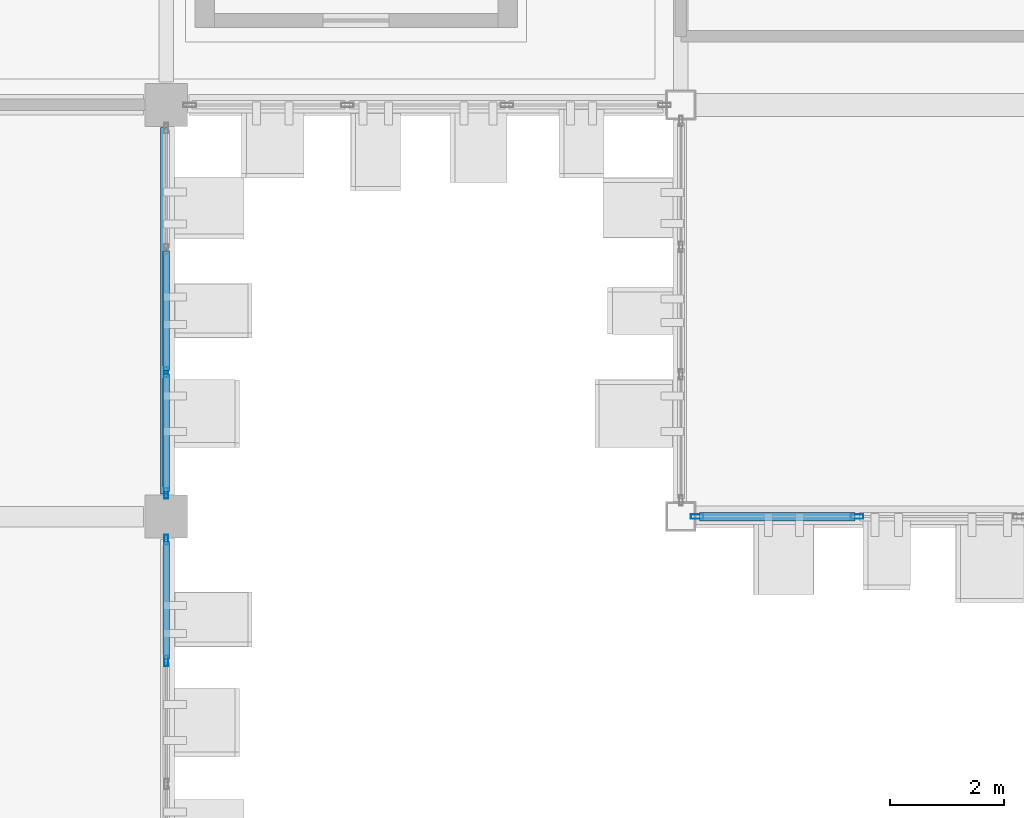
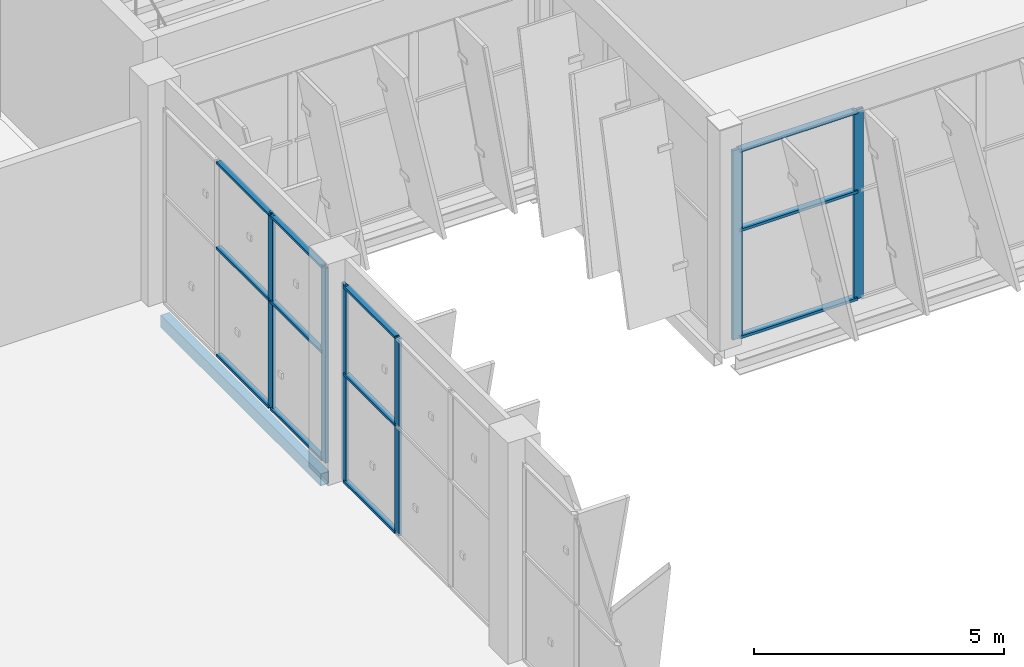
# One storey, part 76 of 189: 18 members, 1 beam, 3 elements without a shape of their own.
"""IFC4 building model written with IfcOpenShell, lengths in metres."""

from ifc_helpers import new_model, si_unit, direction, frame, origin, origin_2d, place, context, subcontext, project, spatial, hollow_rectangle, extrude, material, layer, layer_set, material_profile, profile_set, type_object, element, aggregate, save


model = new_model("IFC4")

# Units and contexts
model_context = context("Model", 3, precision=1e-05, world=origin(), true_north=direction((0.0, 1.0)))
body_context = subcontext(model_context, "Body", "Model", "MODEL_VIEW")
ifc_project = project(units=[si_unit("LENGTHUNIT", "METRE"), si_unit("AREAUNIT", "SQUARE_METRE"), si_unit("VOLUMEUNIT", "CUBIC_METRE"), si_unit("PLANEANGLEUNIT", "RADIAN"), si_unit("MASSUNIT", "GRAM", prefix="KILO")], contexts=[model_context])

# Site, building, storey
site_placement = place(None, origin())
site = spatial("IfcSite", under=ifc_project, at=site_placement, CompositionType="ELEMENT")
building_placement = place(site_placement, origin())
building = spatial("IfcBuilding", under=site, at=building_placement, Name="Celestram Park Convention Centre", CompositionType="ELEMENT")
storey_placement = place(building_placement, frame((0.0, 0.0, 5.39990234375)))
storey = spatial("IfcBuildingStorey", under=building, at=storey_placement, Name="L01", CompositionType="ELEMENT", Elevation=5.39990234375)

# Curtain wall, members
ifc_material_1 = material(Name="Anodised Aluminium Alloy 6063-T6", Category="aluminium")
ifc_layer_1 = layer(ifc_material_1, 0.179931640625)
ifc_layer_set_1 = layer_set([ifc_layer_1], Name="Anodised Aluminium Alloy 6063-T6")
curtain_wall_type_1 = type_object("IfcCurtainWallType", Name="ARC-CW-645X476", PredefinedType="NOTDEFINED", material=ifc_layer_set_1)
curtain_wall_1_placement = place(storey_placement, origin())
curtain_wall_1 = element("IfcCurtainWall", 1, at=curtain_wall_1_placement, inside=storey, type_object=curtain_wall_type_1, Name="Unitised curtain wall CU-L01-086", PredefinedType="NOTDEFINED")
ifc_material_profile_1 = material_profile(ifc_material_1, hollow_rectangle(XDim=0.06494140625, YDim=0.179931640625, WallThickness=0.00390625, at=origin_2d()), Name="ALU65X180X4")
ifc_profile_set_1 = profile_set([ifc_material_profile_1], Name="Anodised Aluminium Alloy 6063-T6")
member_type_1 = type_object("IfcMemberType", Name="ARC-CWM-150", PredefinedType="MULLION", material=ifc_profile_set_1)
member_1_placement = place(storey_placement, frame((144.0, 117.724365234375, 0.0), z_axis=(0.0, 0.0, 1.0), x_axis=(1.0, 0.0, 0.0)))
member_1 = element("IfcMember", 2, at=member_1_placement, type_object=member_type_1, Name="CW-64X47 mullion 3", PredefinedType="MULLION", context=body_context, shape_type="SweptSolid", body=[
    extrude(hollow_rectangle(XDim=0.06494140625, YDim=0.179931640625, WallThickness=0.00390625, at=origin_2d()), origin(), (0.0, 0.0, 1.0), 4.76416015625),
])
member_2_placement = place(storey_placement, frame((144.0, 115.60546875, 0.0), z_axis=(0.0, 0.0, 1.0), x_axis=(1.0, 0.0, 0.0)))
member_2 = element("IfcMember", 3, at=member_2_placement, type_object=member_type_1, Name="CW-64X47 mullion 4", PredefinedType="MULLION", context=body_context, shape_type="SweptSolid", body=[
    extrude(hollow_rectangle(XDim=0.06494140625, YDim=0.179931640625, WallThickness=0.00390625, at=origin_2d()), origin(), (0.0, 0.0, 1.0), 4.76416015625),
])

ifc_layer_2 = layer(ifc_material_1, 0.179931640625)
ifc_layer_set_2 = layer_set([ifc_layer_2], Name="Anodised Aluminium Alloy 6063-T6")
curtain_wall_type_2 = type_object("IfcCurtainWallType", Name="ARC-CW-645X482", PredefinedType="NOTDEFINED", material=ifc_layer_set_2)
curtain_wall_2_placement = place(storey_placement, origin())
curtain_wall_2 = element("IfcCurtainWall", 4, at=curtain_wall_2_placement, inside=storey, type_object=curtain_wall_type_2, Name="Unitised curtain wall CU-L01-087", PredefinedType="NOTDEFINED")
member_3_placement = place(storey_placement, frame((144.0, 114.79443359375, 0.0), z_axis=(0.0, 0.0, 1.0), x_axis=(1.0, 0.0, 0.0)))
member_3 = element("IfcMember", 5, at=member_3_placement, type_object=member_type_1, Name="CW-64X48 mullion 1", PredefinedType="MULLION", context=body_context, shape_type="SweptSolid", body=[
    extrude(hollow_rectangle(XDim=0.06494140625, YDim=0.179931640625, WallThickness=0.00390625, at=origin_2d()), origin(), (0.0, 0.0, 1.0), 4.820068359375),
])
member_4_placement = place(storey_placement, frame((144.0, 112.67578125, 0.0), z_axis=(0.0, 0.0, 1.0), x_axis=(1.0, 0.0, 0.0)))
member_4 = element("IfcMember", 6, at=member_4_placement, type_object=member_type_1, Name="CW-64X48 mullion 2", PredefinedType="MULLION", context=body_context, shape_type="SweptSolid", body=[
    extrude(hollow_rectangle(XDim=0.06494140625, YDim=0.179931640625, WallThickness=0.00390625, at=origin_2d()), origin(), (0.0, 0.0, 1.0), 4.820068359375),
])

ifc_layer_3 = layer(ifc_material_1, 0.179931640625)
ifc_layer_set_3 = layer_set([ifc_layer_3], Name="Anodised Aluminium Alloy 6063-T6")
curtain_wall_type_3 = type_object("IfcCurtainWallType", Name="ARC-CW-850X462", PredefinedType="NOTDEFINED", material=ifc_layer_set_3)
curtain_wall_3_placement = place(storey_placement, origin())
curtain_wall_3 = element("IfcCurtainWall", 7, at=curtain_wall_3_placement, inside=storey, type_object=curtain_wall_type_3, Name="Unitised curtain wall CU-L01-083", PredefinedType="NOTDEFINED")
ifc_material_profile_2 = material_profile(ifc_material_1, hollow_rectangle(XDim=0.074951171875, YDim=0.219970703125, WallThickness=0.00390625, at=origin_2d()), Name="ALU75X220X4")
ifc_profile_set_2 = profile_set([ifc_material_profile_2], Name="Anodised Aluminium Alloy 6063-T6")
member_type_2 = type_object("IfcMemberType", Name="ARC-CWM-180", PredefinedType="MULLION", material=ifc_profile_set_2)
member_5_placement = place(storey_placement, frame((156.082763671875, 115.199951171875, 0.0), z_axis=(0.0, 0.0, 1.0), x_axis=(0.0, -1.0, 0.0)))
member_5 = element("IfcMember", 8, at=member_5_placement, type_object=member_type_2, Name="CW-85X46 mullion 3", PredefinedType="MULLION", context=body_context, shape_type="SweptSolid", body=[
    extrude(hollow_rectangle(XDim=0.074951171875, YDim=0.219970703125, WallThickness=0.00390625, at=origin_2d()), origin(), (0.0, 0.0, 1.0), 4.6240234375),
])
member_6_placement = place(storey_placement, frame((153.285400390625, 115.199951171875, 0.0), z_axis=(0.0, 0.0, 1.0), x_axis=(0.0, -1.0, 0.0)))
member_6 = element("IfcMember", 9, at=member_6_placement, type_object=member_type_2, Name="CW-85X46 mullion 4", PredefinedType="MULLION", context=body_context, shape_type="SweptSolid", body=[
    extrude(hollow_rectangle(XDim=0.074951171875, YDim=0.219970703125, WallThickness=0.00390625, at=origin_2d()), origin(), (0.0, 0.0, 1.0), 4.6240234375),
])

# Member
ifc_material_profile_3 = material_profile(ifc_material_1, hollow_rectangle(XDim=0.1201171875, YDim=0.06005859375, WallThickness=0.0029296875, at=origin_2d()), Name="ALU120X60X3")
ifc_profile_set_3 = profile_set([ifc_material_profile_3], Name="Anodised Aluminium Alloy 6063-T6")
member_type_3 = type_object("IfcMemberType", Name="ARC-CWT-120", PredefinedType="USERDEFINED", material=ifc_profile_set_3)
member_7_placement = place(storey_placement, frame((144.0, 119.84326171875, 0.030029296875), z_axis=(0.0, -1.0, 0.0), x_axis=(1.0, 0.0, 0.0)))
member_7 = element("IfcMember", 10, at=member_7_placement, type_object=member_type_3, Name="CW-64X47 transom 2.1", ObjectType="TRANSOM", PredefinedType="USERDEFINED", context=body_context, shape_type="SweptSolid", body=[
    extrude(hollow_rectangle(XDim=0.1201171875, YDim=0.06005859375, WallThickness=0.0029296875, at=origin_2d()), origin(), (0.0, 0.0, 1.0), 2.08642578125),
])

member_8_placement = place(storey_placement, frame((144.0, 119.84326171875, 2.650146484375), z_axis=(0.0, -1.0, 0.0), x_axis=(1.0, 0.0, 0.0)))
member_8 = element("IfcMember", 11, at=member_8_placement, type_object=member_type_3, Name="CW-64X47 transom 2.2", ObjectType="TRANSOM", PredefinedType="USERDEFINED", context=body_context, shape_type="SweptSolid", body=[
    extrude(hollow_rectangle(XDim=0.1201171875, YDim=0.06005859375, WallThickness=0.0029296875, at=origin_2d()), origin(), (0.0, 0.0, 1.0), 2.08642578125),
])

member_9_placement = place(storey_placement, frame((144.0, 119.84326171875, 4.734130859375), z_axis=(0.0, -1.0, 0.0), x_axis=(1.0, 0.0, 0.0)))
member_9 = element("IfcMember", 12, at=member_9_placement, type_object=member_type_3, Name="CW-64X47 transom 2.3", ObjectType="TRANSOM", PredefinedType="USERDEFINED", context=body_context, shape_type="SweptSolid", body=[
    extrude(hollow_rectangle(XDim=0.1201171875, YDim=0.06005859375, WallThickness=0.0029296875, at=origin_2d()), origin(), (0.0, 0.0, 1.0), 2.08642578125),
])

member_10_placement = place(storey_placement, frame((144.0, 117.69189453125, 0.030029296875), z_axis=(0.0, -1.0, 0.0), x_axis=(1.0, 0.0, 0.0)))
member_10 = element("IfcMember", 13, at=member_10_placement, type_object=member_type_3, Name="CW-64X47 transom 3.1", ObjectType="TRANSOM", PredefinedType="USERDEFINED", context=body_context, shape_type="SweptSolid", body=[
    extrude(hollow_rectangle(XDim=0.1201171875, YDim=0.06005859375, WallThickness=0.0029296875, at=origin_2d()), origin(), (0.0, 0.0, 1.0), 2.053955078125),
])

member_11_placement = place(storey_placement, frame((144.0, 117.69189453125, 2.650146484375), z_axis=(0.0, -1.0, 0.0), x_axis=(1.0, 0.0, 0.0)))
member_11 = element("IfcMember", 14, at=member_11_placement, type_object=member_type_3, Name="CW-64X47 transom 3.2", ObjectType="TRANSOM", PredefinedType="USERDEFINED", context=body_context, shape_type="SweptSolid", body=[
    extrude(hollow_rectangle(XDim=0.1201171875, YDim=0.06005859375, WallThickness=0.0029296875, at=origin_2d()), origin(), (0.0, 0.0, 1.0), 2.053955078125),
])

member_12_placement = place(storey_placement, frame((144.0, 117.69189453125, 4.734130859375), z_axis=(0.0, -1.0, 0.0), x_axis=(1.0, 0.0, 0.0)))
member_12 = element("IfcMember", 15, at=member_12_placement, type_object=member_type_3, Name="CW-64X47 transom 3.3", ObjectType="TRANSOM", PredefinedType="USERDEFINED", context=body_context, shape_type="SweptSolid", body=[
    extrude(hollow_rectangle(XDim=0.1201171875, YDim=0.06005859375, WallThickness=0.0029296875, at=origin_2d()), origin(), (0.0, 0.0, 1.0), 2.053955078125),
])

aggregate(curtain_wall_1, [member_1, member_2, member_7, member_8, member_9, member_10, member_11, member_12])

member_13_placement = place(storey_placement, frame((144.0, 114.761962890625, 0.030029296875), z_axis=(0.0, -1.0, 0.0), x_axis=(1.0, 0.0, 0.0)))
member_13 = element("IfcMember", 16, at=member_13_placement, type_object=member_type_3, Name="CW-64X48 transom 1.1", ObjectType="TRANSOM", PredefinedType="USERDEFINED", context=body_context, shape_type="SweptSolid", body=[
    extrude(hollow_rectangle(XDim=0.1201171875, YDim=0.06005859375, WallThickness=0.0029296875, at=origin_2d()), origin(), (0.0, 0.0, 1.0), 2.0537109375),
])

member_14_placement = place(storey_placement, frame((144.0, 114.761962890625, 2.650146484375), z_axis=(0.0, -1.0, 0.0), x_axis=(1.0, 0.0, 0.0)))
member_14 = element("IfcMember", 17, at=member_14_placement, type_object=member_type_3, Name="CW-64X48 transom 1.2", ObjectType="TRANSOM", PredefinedType="USERDEFINED", context=body_context, shape_type="SweptSolid", body=[
    extrude(hollow_rectangle(XDim=0.1201171875, YDim=0.06005859375, WallThickness=0.0029296875, at=origin_2d()), origin(), (0.0, 0.0, 1.0), 2.0537109375),
])

member_15_placement = place(storey_placement, frame((144.0, 114.761962890625, 4.7900390625), z_axis=(0.0, -1.0, 0.0), x_axis=(1.0, 0.0, 0.0)))
member_15 = element("IfcMember", 18, at=member_15_placement, type_object=member_type_3, Name="CW-64X48 transom 1.3", ObjectType="TRANSOM", PredefinedType="USERDEFINED", context=body_context, shape_type="SweptSolid", body=[
    extrude(hollow_rectangle(XDim=0.1201171875, YDim=0.06005859375, WallThickness=0.0029296875, at=origin_2d()), origin(), (0.0, 0.0, 1.0), 2.0537109375),
])

aggregate(curtain_wall_2, [member_3, member_4, member_13, member_14, member_15])

ifc_material_profile_4 = material_profile(ifc_material_1, hollow_rectangle(XDim=0.14990234375, YDim=0.06494140625, WallThickness=0.0029296875, at=origin_2d()), Name="ALU150X65X3")
ifc_profile_set_4 = profile_set([ifc_material_profile_4], Name="Anodised Aluminium Alloy 6063-T6")
member_type_4 = type_object("IfcMemberType", Name="ARC-CWT-150", PredefinedType="USERDEFINED", material=ifc_profile_set_4)
member_16_placement = place(storey_placement, frame((156.045166015625, 115.199951171875, 0.03271484375), z_axis=(-1.0, 0.0, 0.0), x_axis=(0.0, -1.0, 0.0)))
member_16 = element("IfcMember", 19, at=member_16_placement, type_object=member_type_4, Name="CW-85X46 transom 3.1", ObjectType="TRANSOM", PredefinedType="USERDEFINED", context=body_context, shape_type="SweptSolid", body=[
    extrude(hollow_rectangle(XDim=0.14990234375, YDim=0.06494140625, WallThickness=0.0029296875, at=origin_2d()), origin(), (0.0, 0.0, 1.0), 2.72216796875),
])

member_17_placement = place(storey_placement, frame((156.045166015625, 115.199951171875, 2.650146484375), z_axis=(-1.0, 0.0, 0.0), x_axis=(0.0, -1.0, 0.0)))
member_17 = element("IfcMember", 20, at=member_17_placement, type_object=member_type_4, Name="CW-85X46 transom 3.2", ObjectType="TRANSOM", PredefinedType="USERDEFINED", context=body_context, shape_type="SweptSolid", body=[
    extrude(hollow_rectangle(XDim=0.14990234375, YDim=0.06494140625, WallThickness=0.0029296875, at=origin_2d()), origin(), (0.0, 0.0, 1.0), 2.72216796875),
])

member_18_placement = place(storey_placement, frame((156.045166015625, 115.199951171875, 4.591552734375), z_axis=(-1.0, 0.0, 0.0), x_axis=(0.0, -1.0, 0.0)))
member_18 = element("IfcMember", 21, at=member_18_placement, type_object=member_type_4, Name="CW-85X46 transom 3.3", ObjectType="TRANSOM", PredefinedType="USERDEFINED", context=body_context, shape_type="SweptSolid", body=[
    extrude(hollow_rectangle(XDim=0.14990234375, YDim=0.06494140625, WallThickness=0.0029296875, at=origin_2d()), origin(), (0.0, 0.0, 1.0), 2.72216796875),
])

aggregate(curtain_wall_3, [member_5, member_6, member_16, member_17, member_18])

# Beam
ifc_material_2 = material(Name="Steel ASTM A500 Grade C", Category="steel")
ifc_material_profile_5 = material_profile(ifc_material_2, hollow_rectangle(XDim=0.199951171875, YDim=0.300048828125, WallThickness=0.011962890625, at=origin_2d()), Name="HSS300X200X12")
ifc_profile_set_5 = profile_set([ifc_material_profile_5], Name="Steel ASTM A500 Grade C")
beam_type = type_object("IfcBeamType", Name="STR-SPN-HSS300X200", PredefinedType="SPANDREL", material=ifc_profile_set_5)
beam_placement = place(storey_placement, frame((144.0, 115.597900390625, -0.429931640625), z_axis=(0.0, 1.0, 0.0), x_axis=(-1.0, 0.0, 0.0)))
element("IfcBeam", 22, at=beam_placement, inside=storey, type_object=beam_type, Name="Primary Y-girder BG-L01-0346", PredefinedType="SPANDREL", context=body_context, shape_type="SweptSolid", body=[
    extrude(hollow_rectangle(XDim=0.199951171875, YDim=0.300048828125, WallThickness=0.011962890625, at=origin_2d()), origin(), (0.0, 0.0, 1.0), 6.404052734375),
])

save(model, "model.ifc")
